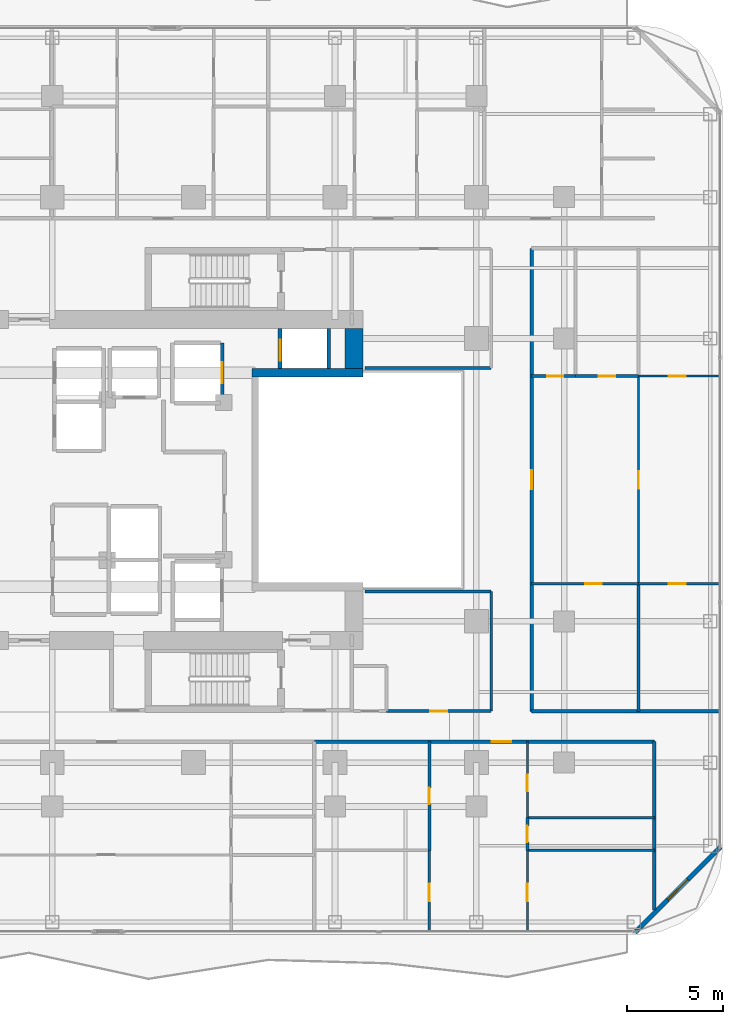
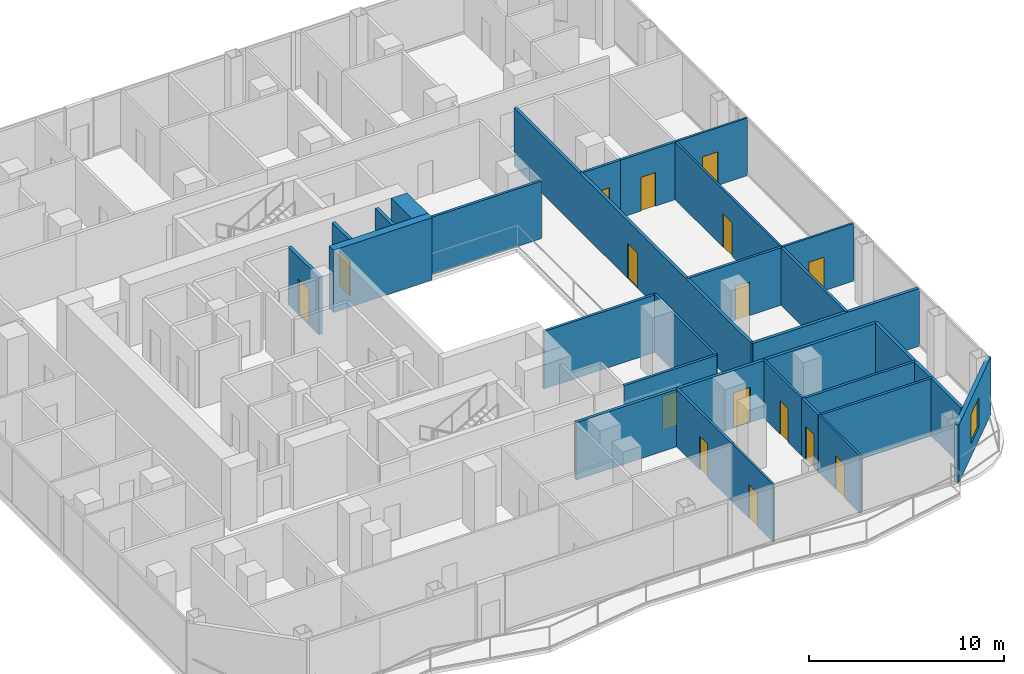
# One storey, part 22 of 27: 28 walls, 16 doors, 1 window, 17 openings.
"""IFC4 building model written with IfcOpenShell, lengths in metres."""

from ifc_helpers import new_model, si_unit, direction, frame, frame_2d, origin, place, context, subcontext, project, spatial, rectangle, extrude, material, layer, layer_set, type_object, element, fill, save


model = new_model("IFC4")

# Units and contexts
model_context = context("Model", 3, precision=1e-05, world=origin(), true_north=direction((0.0, 1.0)))
body_context = subcontext(model_context, "Body", "Model", "MODEL_VIEW")
ifc_project = project(units=[si_unit("LENGTHUNIT", "METRE"), si_unit("AREAUNIT", "SQUARE_METRE"), si_unit("VOLUMEUNIT", "CUBIC_METRE"), si_unit("PLANEANGLEUNIT", "RADIAN"), si_unit("MASSUNIT", "GRAM", prefix="KILO")], contexts=[model_context])

# Site, building, storey
site_placement = place(None, origin())
site = spatial("IfcSite", under=ifc_project, at=site_placement, CompositionType="ELEMENT")
building_placement = place(site_placement, origin())
building = spatial("IfcBuilding", under=site, at=building_placement, Name="Khorvyn Point Tower", CompositionType="ELEMENT")
storey_placement = place(building_placement, frame((0.0, 0.0, 152.39990234375)))
storey = spatial("IfcBuildingStorey", under=building, at=storey_placement, Name="L38", CompositionType="ELEMENT", Elevation=152.39990234375)

# Wall, opening, door
ifc_material_1 = material(Name="Double acoustic gypsum on twin steel stud", Category="steel")
ifc_layer_1 = layer(ifc_material_1, 0.179931640625)
ifc_layer_set_1 = layer_set([ifc_layer_1], Name="Acoustic Double-Stud Apartment Demising Wall 180")
wall_type_1 = type_object("IfcWallType", Name="Acoustic Double-Stud Apartment Demising Wall 180", PredefinedType="PARTITIONING", material=ifc_layer_set_1)
wall_1_placement = place(storey_placement, frame((6.325927734375, -13.699951171875, 0.0), z_axis=(0.0, 0.0, 1.0), x_axis=(1.0, 0.0, 0.0)))
wall_1 = element("IfcWall", 1, at=wall_1_placement, inside=storey, type_object=wall_type_1, Name="Wall", PredefinedType="PARTITIONING", context=body_context, shape_type="SweptSolid", body=[
    extrude(rectangle(XDim=17.794189453125, YDim=0.179931640625, at=frame_2d((8.89697265625, 0.0))), origin(), (0.0, 0.0, 1.0), 3.60009765625),
])
opening_1_placement = place(wall_1_placement, frame((9.292236328125, 0.0, 0.0)))
opening_1 = element("IfcOpeningElement", 2, at=opening_1_placement, cuts=wall_1, Name="Opening ID-AP60", PredefinedType="OPENING", context=body_context, shape_type="SweptSolid", body=[
    extrude(rectangle(XDim=1.0, YDim=2.199951171875, at=frame_2d((0.5, 1.10009765625))), frame((0.0, 0.099853515625, 0.0), z_axis=(0.0, -1.0, 0.0), x_axis=(1.0, 0.0, 0.0)), (0.0, 0.0, 1.0), 0.199951171875),
])
ifc_material_2 = material(Name="Engineered hardwood fire-rated leaf", Category="wood")
door_type_1 = type_object("IfcDoorType", Name="Acoustic Solid-Core Timber Apartment Entrance Door 1000x2200", OperationType="NOTDEFINED", PredefinedType="DOOR", material=ifc_material_2)
door_1_placement = place(opening_1_placement, origin())
door_1 = element("IfcDoor", 3, at=door_1_placement, inside=storey, type_object=door_type_1, Name="Door", OperationType="SINGLE_SWING_RIGHT", OverallHeight=2.199951171875, OverallWidth=1.0, PredefinedType="DOOR", context=body_context, shape_type="SweptSolid", body=[
    extrude(rectangle(XDim=1.0, YDim=2.199951171875, at=frame_2d((0.5, 1.10009765625))), frame((0.0, 0.02490234375, 0.0), z_axis=(0.0, -1.0, 0.0), x_axis=(1.0, 0.0, 0.0)), (0.0, 0.0, 1.0), 0.050048828125),
])
fill(opening_1, door_1)

wall_2_placement = place(storey_placement, frame((17.699951171875, -12.1201171875, 0.0), z_axis=(0.0, 0.0, 1.0), x_axis=(0.0, 1.0, 0.0)))
wall_2 = element("IfcWall", 4, at=wall_2_placement, inside=storey, type_object=wall_type_1, Name="Wall", PredefinedType="PARTITIONING", context=body_context, shape_type="SweptSolid", body=[
    extrude(rectangle(XDim=24.240234375, YDim=0.179931640625, at=frame_2d((12.1201171875, 0.0))), origin(), (0.0, 0.0, 1.0), 3.60009765625),
])
opening_2_placement = place(wall_2_placement, frame((11.6201171875, 0.0, 0.0)))
opening_2 = element("IfcOpeningElement", 5, at=opening_2_placement, cuts=wall_2, Name="Opening ID-AP60", PredefinedType="OPENING", context=body_context, shape_type="SweptSolid", body=[
    extrude(rectangle(XDim=1.0, YDim=2.199951171875, at=frame_2d((0.5, 1.10009765625))), frame((0.0, 0.099853515625, 0.0), z_axis=(0.0, -1.0, 0.0), x_axis=(1.0, 0.0, 0.0)), (0.0, 0.0, 1.0), 0.199951171875),
])
door_2_placement = place(opening_2_placement, origin())
door_2 = element("IfcDoor", 6, at=door_2_placement, inside=storey, type_object=door_type_1, Name="Door", OperationType="SINGLE_SWING_RIGHT", OverallHeight=2.199951171875, OverallWidth=1.0, PredefinedType="DOOR", context=body_context, shape_type="SweptSolid", body=[
    extrude(rectangle(XDim=1.0, YDim=2.199951171875, at=frame_2d((0.5, 1.10009765625))), frame((0.0, 0.02490234375, 0.0), z_axis=(0.0, -1.0, 0.0), x_axis=(1.0, 0.0, 0.0)), (0.0, 0.0, 1.0), 0.050048828125),
])
fill(opening_2, door_2)

# Walls
wall_3_placement = place(storey_placement, frame((24.1201171875, -22.510009765625, 0.0), z_axis=(0.0, 0.0, 1.0), x_axis=(0.0, 1.0, 0.0)))
element("IfcWall", 7, at=wall_3_placement, inside=storey, type_object=wall_type_1, Name="Wall", PredefinedType="PARTITIONING", context=body_context, shape_type="SweptSolid", body=[
    extrude(rectangle(XDim=8.81005859375, YDim=0.179931640625, at=frame_2d((4.405029296875, 0.0))), origin(), (0.0, 0.0, 1.0), 3.60009765625),
])
wall_4_placement = place(storey_placement, frame((17.699951171875, -12.1201171875, 0.0), z_axis=(0.0, 0.0, 1.0), x_axis=(1.0, 0.0, 0.0)))
element("IfcWall", 8, at=wall_4_placement, inside=storey, type_object=wall_type_1, Name="Wall", PredefinedType="PARTITIONING", context=body_context, shape_type="SweptSolid", body=[
    extrude(rectangle(XDim=9.830078125, YDim=0.179931640625, at=frame_2d((4.9150390625, 0.0))), origin(), (0.0, 0.0, 1.0), 3.60009765625),
])

# Wall, opening, window
ifc_material_3 = material(Name="Pale anodised aluminium rainscreen on steel stud", Category="steel")
ifc_layer_2 = layer(ifc_material_3, 0.239990234375)
ifc_layer_set_2 = layer_set([ifc_layer_2], Name="Anodised Aluminium Insulated Corner Spandrel Wall 240")
wall_type_2 = type_object("IfcWallType", Name="Anodised Aluminium Insulated Corner Spandrel Wall 240", PredefinedType="SOLIDWALL", material=ifc_layer_set_2)
wall_5_placement = place(storey_placement, frame((27.59228515625, -19.20751953125, 0.0), z_axis=(0.0, 0.0, 1.0), x_axis=(-0.707087534163, -0.707126027686, 0.0)))
wall_5 = element("IfcWall", 9, at=wall_5_placement, inside=storey, type_object=wall_type_2, Name="L38 Rounded Corner Wall SE", PredefinedType="SOLIDWALL", context=body_context, shape_type="SweptSolid", body=[
    extrude(rectangle(XDim=6.34228515625, YDim=0.239990234375, at=frame_2d((3.171142578125, 0.0))), origin(), (0.0, 0.0, 1.0), 3.60009765625),
])
opening_3_placement = place(wall_5_placement, frame((2.42138671875, 0.0, 0.800048828125)))
opening_3 = element("IfcOpeningElement", 10, at=opening_3_placement, cuts=wall_5, Name="Opening WN-1518", PredefinedType="OPENING", context=body_context, shape_type="SweptSolid", body=[
    extrude(rectangle(XDim=1.5, YDim=1.85009765625, at=frame_2d((0.75, 0.925048828125))), frame((0.0, 0.1298828125, 0.0), z_axis=(0.0, -1.0, 0.0), x_axis=(1.0, 0.0, 0.0)), (0.0, 0.0, 1.0), 0.260009765625),
])
ifc_material_4 = material(Name="Anodised aluminium 6063-T6 and laminated Low-E glass", Category="aluminium")
window_type = type_object("IfcWindowType", Name="Anodised Aluminium Rounded-Corner Panoramic Window 1500x1850", PartitioningType="SINGLE_PANEL", PredefinedType="WINDOW", material=ifc_material_4)
window_placement = place(opening_3_placement, origin())
window = element("IfcWindow", 11, at=window_placement, inside=storey, type_object=window_type, Name="L38 Corner Panoramic Window SE", OverallHeight=1.85009765625, OverallWidth=1.5, PartitioningType="SINGLE_PANEL", PredefinedType="WINDOW", context=body_context, shape_type="SweptSolid", body=[
    extrude(rectangle(XDim=1.5, YDim=1.85009765625, at=frame_2d((0.75, 0.925048828125))), frame((0.0, 0.030029296875, 0.0), z_axis=(0.0, -1.0, 0.0), x_axis=(1.0, 0.0, 0.0)), (0.0, 0.0, 1.0), 0.06005859375),
])
fill(opening_3, window)

# Wall
ifc_material_5 = material(Name="Concrete C40/50", Category="concrete")
ifc_layer_3 = layer(ifc_material_5, 0.449951171875)
ifc_layer_set_3 = layer_set([ifc_layer_3], Name="Concrete C40/50 Core Shear Wall 450")
wall_type_3 = type_object("IfcWallType", Name="Concrete C40/50 Core Shear Wall 450", PredefinedType="SHEAR", material=ifc_layer_set_3)
wall_6_placement = place(storey_placement, frame((3.044921875, 5.60009765625, 0.0), z_axis=(0.0, 0.0, 1.0), x_axis=(1.0, 0.0, 0.0)))
element("IfcWall", 12, at=wall_6_placement, inside=storey, type_object=wall_type_3, Name="Wall", PredefinedType="SHEAR", context=body_context, shape_type="SweptSolid", body=[
    extrude(rectangle(XDim=5.830078125, YDim=0.449951171875, at=frame_2d((2.9150390625, 0.0))), origin(), (0.0, 0.0, 1.0), 3.900146484375),
])

# Wall, opening, door
ifc_layer_4 = layer(ifc_material_5, 0.199951171875)
ifc_layer_set_4 = layer_set([ifc_layer_4], Name="Concrete C40/50 Structural Hoistway and Stair Shaft Wall 200")
wall_type_4 = type_object("IfcWallType", Name="Concrete C40/50 Structural Hoistway and Stair Shaft Wall 200", PredefinedType="SHEAR", material=ifc_layer_set_4)
wall_7_placement = place(storey_placement, frame((1.5, 4.02490234375, 0.0), z_axis=(0.0, 0.0, 1.0), x_axis=(0.0, 1.0, 0.0)))
wall_7 = element("IfcWall", 13, at=wall_7_placement, inside=storey, type_object=wall_type_4, Name="Wall", PredefinedType="SHEAR", context=body_context, shape_type="SweptSolid", body=[
    extrude(rectangle(XDim=3.150146484375, YDim=0.199951171875, at=frame_2d((1.5751953125, 0.0))), origin(), (0.0, 0.0, 1.0), 3.60009765625),
])
opening_4_placement = place(wall_7_placement, frame((1.02490234375, 0.0, 0.0)))
opening_4 = element("IfcOpeningElement", 14, at=opening_4_placement, cuts=wall_7, Name="Opening LD-1122", PredefinedType="OPENING", context=body_context, shape_type="SweptSolid", body=[
    extrude(rectangle(XDim=1.10009765625, YDim=2.199951171875, at=frame_2d((0.550048828125, 1.10009765625))), frame((0.0, 0.10986328125, 0.0), z_axis=(0.0, -1.0, 0.0), x_axis=(1.0, 0.0, 0.0)), (0.0, 0.0, 1.0), 0.219970703125),
])
ifc_material_6 = material(Name="Stainless steel 1.4301", Category="steel")
door_type_2 = type_object("IfcDoorType", Name="Stainless Steel Automatic Sliding Lift Landing Door 1100x2200", OperationType="SLIDING_TO_LEFT", PredefinedType="DOOR", material=ifc_material_6)
door_3_placement = place(opening_4_placement, origin())
door_3 = element("IfcDoor", 15, at=door_3_placement, inside=storey, type_object=door_type_2, Name="L38 SV-01 Sliding Lift Landing Door", OperationType="SLIDING_TO_LEFT", OverallHeight=2.199951171875, OverallWidth=1.10009765625, PredefinedType="DOOR", context=body_context, shape_type="SweptSolid", body=[
    extrude(rectangle(XDim=1.10009765625, YDim=2.199951171875, at=frame_2d((0.550048828125, 1.10009765625))), frame((0.0, 0.02490234375, 0.0), z_axis=(0.0, -1.0, 0.0), x_axis=(1.0, 0.0, 0.0)), (0.0, 0.0, 1.0), 0.050048828125),
])
fill(opening_4, door_3)

wall_8_placement = place(storey_placement, frame((4.52490234375, 5.824951171875, 0.0), z_axis=(0.0, 0.0, 1.0), x_axis=(0.0, 1.0, 0.0)))
wall_8 = element("IfcWall", 16, at=wall_8_placement, inside=storey, type_object=wall_type_4, Name="Wall", PredefinedType="SHEAR", context=body_context, shape_type="SweptSolid", body=[
    extrude(rectangle(XDim=2.10009765625, YDim=0.199951171875, at=frame_2d((1.050048828125, 0.0))), origin(), (0.0, 0.0, 1.0), 3.60009765625),
])
opening_5_placement = place(wall_8_placement, frame((0.425048828125, 0.0, 0.0)))
opening_5 = element("IfcOpeningElement", 17, at=opening_5_placement, cuts=wall_8, Name="Opening LD-1122", PredefinedType="OPENING", context=body_context, shape_type="SweptSolid", body=[
    extrude(rectangle(XDim=1.10009765625, YDim=2.199951171875, at=frame_2d((0.550048828125, 1.10009765625))), frame((0.0, 0.10986328125, 0.0), z_axis=(0.0, -1.0, 0.0), x_axis=(1.0, 0.0, 0.0)), (0.0, 0.0, 1.0), 0.219970703125),
])
door_4_placement = place(opening_5_placement, origin())
door_4 = element("IfcDoor", 18, at=door_4_placement, inside=storey, type_object=door_type_2, Name="L38 FF-02 Sliding Lift Landing Door", OperationType="SLIDING_TO_LEFT", OverallHeight=2.199951171875, OverallWidth=1.10009765625, PredefinedType="DOOR", context=body_context, shape_type="SweptSolid", body=[
    extrude(rectangle(XDim=1.10009765625, YDim=2.199951171875, at=frame_2d((0.550048828125, 1.10009765625))), frame((0.0, 0.02490234375, 0.0), z_axis=(0.0, -1.0, 0.0), x_axis=(1.0, 0.0, 0.0)), (0.0, 0.0, 1.0), 0.050048828125),
])
fill(opening_5, door_4)

# Walls
wall_9_placement = place(storey_placement, frame((7.074951171875, 5.824951171875, 0.0), z_axis=(0.0, 0.0, 1.0), x_axis=(0.0, 1.0, 0.0)))
element("IfcWall", 19, at=wall_9_placement, inside=storey, type_object=wall_type_4, Name="Wall", PredefinedType="SHEAR", context=body_context, shape_type="SweptSolid", body=[
    extrude(rectangle(XDim=2.10009765625, YDim=0.199951171875, at=frame_2d((1.050048828125, 0.0))), origin(), (0.0, 0.0, 1.0), 3.60009765625),
])
ifc_material_7 = material(Name="Concrete C50/60", Category="concrete")
ifc_layer_5 = layer(ifc_material_7, 0.949951171875)
ifc_layer_set_5 = layer_set([ifc_layer_5], Name="Concrete C50/60 Core Shear Wall 950")
wall_type_5 = type_object("IfcWallType", Name="Concrete C50/60 Core Shear Wall 950", PredefinedType="SHEAR", material=ifc_layer_set_5)
wall_10_placement = place(storey_placement, frame((8.39990234375, 5.824951171875, 0.0), z_axis=(0.0, 0.0, 1.0), x_axis=(0.0, 1.0, 0.0)))
element("IfcWall", 20, at=wall_10_placement, inside=storey, type_object=wall_type_5, Name="Wall", PredefinedType="SHEAR", context=body_context, shape_type="SweptSolid", body=[
    extrude(rectangle(XDim=2.10009765625, YDim=0.949951171875, at=frame_2d((1.050048828125, 0.0))), origin(), (0.0, 0.0, 1.0), 3.900146484375),
])

# Wall, opening, door
ifc_material_8 = material(Name="Gypsum plasterboard on steel stud", Category="steel")
ifc_layer_6 = layer(ifc_material_8, 0.1201171875)
ifc_layer_set_6 = layer_set([ifc_layer_6], Name="Gypsum Acoustic Stud Room Partition Wall 120")
wall_type_6 = type_object("IfcWallType", Name="Gypsum Acoustic Stud Room Partition Wall 120", PredefinedType="PARTITIONING", material=ifc_layer_set_6)
wall_11_placement = place(storey_placement, frame((12.340087890625, -23.6298828125, 0.0), z_axis=(0.0, 0.0, 1.0), x_axis=(0.0, 1.0, 0.0)))
wall_11 = element("IfcWall", 21, at=wall_11_placement, inside=storey, type_object=wall_type_6, Name="Wall", PredefinedType="PARTITIONING", context=body_context, shape_type="SweptSolid", body=[
    extrude(rectangle(XDim=4.239990234375, YDim=0.1201171875, at=frame_2d((2.1201171875, 0.0))), origin(), (0.0, 0.0, 1.0), 3.60009765625),
])
opening_6_placement = place(wall_11_placement, frame((1.581298828125, 0.0, 0.0)))
opening_6 = element("IfcOpeningElement", 22, at=opening_6_placement, cuts=wall_11, Name="Opening ID-RM90", PredefinedType="OPENING", context=body_context, shape_type="SweptSolid", body=[
    extrude(rectangle(XDim=0.89990234375, YDim=2.10009765625, at=frame_2d((0.449951171875, 1.050048828125))), frame((0.0, 0.070068359375, 0.0), z_axis=(0.0, -1.0, 0.0), x_axis=(1.0, 0.0, 0.0)), (0.0, 0.0, 1.0), 0.14013671875),
])
ifc_material_9 = material(Name="Engineered oak veneer timber", Category="wood")
door_type_3 = type_object("IfcDoorType", Name="Flush Engineered Timber Room Door 900x2100", OperationType="NOTDEFINED", PredefinedType="DOOR", material=ifc_material_9)
door_5_placement = place(opening_6_placement, origin())
door_5 = element("IfcDoor", 23, at=door_5_placement, inside=storey, type_object=door_type_3, Name="Door", OperationType="SINGLE_SWING_RIGHT", OverallHeight=2.10009765625, OverallWidth=0.89990234375, PredefinedType="DOOR", context=body_context, shape_type="SweptSolid", body=[
    extrude(rectangle(XDim=0.89990234375, YDim=2.10009765625, at=frame_2d((0.449951171875, 1.050048828125))), frame((0.0, 0.02490234375, 0.0), z_axis=(0.0, -1.0, 0.0), x_axis=(1.0, 0.0, 0.0)), (0.0, 0.0, 1.0), 0.050048828125),
])
fill(opening_6, door_5)

wall_12_placement = place(storey_placement, frame((17.47607421875, -17.68310546875, 0.0), z_axis=(0.0, 0.0, 1.0), x_axis=(0.0, 1.0, 0.0)))
wall_12 = element("IfcWall", 24, at=wall_12_placement, inside=storey, type_object=wall_type_6, Name="Wall", PredefinedType="PARTITIONING", context=body_context, shape_type="SweptSolid", body=[
    extrude(rectangle(XDim=3.983154296875, YDim=0.1201171875, at=frame_2d((1.99169921875, 0.0))), origin(), (0.0, 0.0, 1.0), 3.60009765625),
])
opening_7_placement = place(wall_12_placement, frame((1.390625, 0.0, 0.0)))
opening_7 = element("IfcOpeningElement", 25, at=opening_7_placement, cuts=wall_12, Name="Opening ID-WC85", PredefinedType="OPENING", context=body_context, shape_type="SweptSolid", body=[
    extrude(rectangle(XDim=0.85009765625, YDim=2.10009765625, at=frame_2d((0.425048828125, 1.050048828125))), frame((0.0, 0.070068359375, 0.0), z_axis=(0.0, -1.0, 0.0), x_axis=(1.0, 0.0, 0.0)), (0.0, 0.0, 1.0), 0.14013671875),
])
ifc_material_10 = material(Name="High-pressure laminate on moisture-resistant core", Category="wood")
door_type_4 = type_object("IfcDoorType", Name="Moisture-Resistant Accessible Washroom Door 850x2100", OperationType="NOTDEFINED", PredefinedType="DOOR", material=ifc_material_10)
door_6_placement = place(opening_7_placement, origin())
door_6 = element("IfcDoor", 26, at=door_6_placement, inside=storey, type_object=door_type_4, Name="Door", OperationType="SINGLE_SWING_RIGHT", OverallHeight=2.10009765625, OverallWidth=0.85009765625, PredefinedType="DOOR", context=body_context, shape_type="SweptSolid", body=[
    extrude(rectangle(XDim=0.85009765625, YDim=2.10009765625, at=frame_2d((0.425048828125, 1.050048828125))), frame((0.0, 0.02490234375, 0.0), z_axis=(0.0, -1.0, 0.0), x_axis=(1.0, 0.0, 0.0)), (0.0, 0.0, 1.0), 0.050048828125),
])
fill(opening_7, door_6)

wall_13_placement = place(storey_placement, frame((17.47607421875, -23.6298828125, 0.0), z_axis=(0.0, 0.0, 1.0), x_axis=(0.0, 1.0, 0.0)))
wall_13 = element("IfcWall", 27, at=wall_13_placement, inside=storey, type_object=wall_type_6, Name="Wall", PredefinedType="PARTITIONING", context=body_context, shape_type="SweptSolid", body=[
    extrude(rectangle(XDim=4.239990234375, YDim=0.1201171875, at=frame_2d((2.1201171875, 0.0))), origin(), (0.0, 0.0, 1.0), 3.60009765625),
])
opening_8_placement = place(wall_13_placement, frame((1.581298828125, 0.0, 0.0)))
opening_8 = element("IfcOpeningElement", 28, at=opening_8_placement, cuts=wall_13, Name="Opening ID-RM90", PredefinedType="OPENING", context=body_context, shape_type="SweptSolid", body=[
    extrude(rectangle(XDim=0.89990234375, YDim=2.10009765625, at=frame_2d((0.449951171875, 1.050048828125))), frame((0.0, 0.070068359375, 0.0), z_axis=(0.0, -1.0, 0.0), x_axis=(1.0, 0.0, 0.0)), (0.0, 0.0, 1.0), 0.14013671875),
])
door_7_placement = place(opening_8_placement, origin())
door_7 = element("IfcDoor", 29, at=door_7_placement, inside=storey, type_object=door_type_3, Name="Door", OperationType="SINGLE_SWING_LEFT", OverallHeight=2.10009765625, OverallWidth=0.89990234375, PredefinedType="DOOR", context=body_context, shape_type="SweptSolid", body=[
    extrude(rectangle(XDim=0.89990234375, YDim=2.10009765625, at=frame_2d((0.449951171875, 1.050048828125))), frame((0.0, 0.02490234375, 0.0), z_axis=(0.0, -1.0, 0.0), x_axis=(1.0, 0.0, 0.0)), (0.0, 0.0, 1.0), 0.050048828125),
])
fill(opening_8, door_7)

wall_14_placement = place(storey_placement, frame((23.2900390625, -5.43603515625, 0.0), z_axis=(0.0, 0.0, 1.0), x_axis=(0.0, 1.0, 0.0)))
wall_14 = element("IfcWall", 30, at=wall_14_placement, inside=storey, type_object=wall_type_6, Name="Wall", PredefinedType="PARTITIONING", context=body_context, shape_type="SweptSolid", body=[
    extrude(rectangle(XDim=10.8720703125, YDim=0.1201171875, at=frame_2d((5.43603515625, 0.0))), origin(), (0.0, 0.0, 1.0), 3.60009765625),
])
opening_9_placement = place(wall_14_placement, frame((4.986083984375, 0.0, 0.0)))
opening_9 = element("IfcOpeningElement", 31, at=opening_9_placement, cuts=wall_14, Name="Opening ID-RM90", PredefinedType="OPENING", context=body_context, shape_type="SweptSolid", body=[
    extrude(rectangle(XDim=0.89990234375, YDim=2.10009765625, at=frame_2d((0.449951171875, 1.050048828125))), frame((0.0, 0.070068359375, 0.0), z_axis=(0.0, -1.0, 0.0), x_axis=(1.0, 0.0, 0.0)), (0.0, 0.0, 1.0), 0.14013671875),
])
door_8_placement = place(opening_9_placement, origin())
door_8 = element("IfcDoor", 32, at=door_8_placement, inside=storey, type_object=door_type_3, Name="Door", OperationType="SINGLE_SWING_LEFT", OverallHeight=2.10009765625, OverallWidth=0.89990234375, PredefinedType="DOOR", context=body_context, shape_type="SweptSolid", body=[
    extrude(rectangle(XDim=0.89990234375, YDim=2.10009765625, at=frame_2d((0.449951171875, 1.050048828125))), frame((0.0, 0.02490234375, 0.0), z_axis=(0.0, -1.0, 0.0), x_axis=(1.0, 0.0, 0.0)), (0.0, 0.0, 1.0), 0.050048828125),
])
fill(opening_9, door_8)

wall_15_placement = place(storey_placement, frame((23.2900390625, -5.43603515625, 0.0), z_axis=(0.0, 0.0, 1.0), x_axis=(1.0, 0.0, 0.0)))
wall_15 = element("IfcWall", 33, at=wall_15_placement, inside=storey, type_object=wall_type_6, Name="Wall", PredefinedType="PARTITIONING", context=body_context, shape_type="SweptSolid", body=[
    extrude(rectangle(XDim=4.239990234375, YDim=0.1201171875, at=frame_2d((2.1201171875, 0.0))), origin(), (0.0, 0.0, 1.0), 3.60009765625),
])
opening_10_placement = place(wall_15_placement, frame((1.581298828125, 0.0, 0.0)))
opening_10 = element("IfcOpeningElement", 34, at=opening_10_placement, cuts=wall_15, Name="Opening ID-RM90", PredefinedType="OPENING", context=body_context, shape_type="SweptSolid", body=[
    extrude(rectangle(XDim=0.89990234375, YDim=2.10009765625, at=frame_2d((0.449951171875, 1.050048828125))), frame((0.0, 0.070068359375, 0.0), z_axis=(0.0, -1.0, 0.0), x_axis=(1.0, 0.0, 0.0)), (0.0, 0.0, 1.0), 0.14013671875),
])
door_9_placement = place(opening_10_placement, origin())
door_9 = element("IfcDoor", 35, at=door_9_placement, inside=storey, type_object=door_type_3, Name="Door", OperationType="SINGLE_SWING_LEFT", OverallHeight=2.10009765625, OverallWidth=0.89990234375, PredefinedType="DOOR", context=body_context, shape_type="SweptSolid", body=[
    extrude(rectangle(XDim=0.89990234375, YDim=2.10009765625, at=frame_2d((0.449951171875, 1.050048828125))), frame((0.0, 0.02490234375, 0.0), z_axis=(0.0, -1.0, 0.0), x_axis=(1.0, 0.0, 0.0)), (0.0, 0.0, 1.0), 0.050048828125),
])
fill(opening_10, door_9)

wall_16_placement = place(storey_placement, frame((23.2900390625, 5.43603515625, 0.0), z_axis=(0.0, 0.0, 1.0), x_axis=(1.0, 0.0, 0.0)))
wall_16 = element("IfcWall", 36, at=wall_16_placement, inside=storey, type_object=wall_type_6, Name="Wall", PredefinedType="PARTITIONING", context=body_context, shape_type="SweptSolid", body=[
    extrude(rectangle(XDim=4.239990234375, YDim=0.1201171875, at=frame_2d((2.1201171875, 0.0))), origin(), (0.0, 0.0, 1.0), 3.60009765625),
])
opening_11_placement = place(wall_16_placement, frame((1.581298828125, 0.0, 0.0)))
opening_11 = element("IfcOpeningElement", 37, at=opening_11_placement, cuts=wall_16, Name="Opening ID-RM90", PredefinedType="OPENING", context=body_context, shape_type="SweptSolid", body=[
    extrude(rectangle(XDim=0.89990234375, YDim=2.10009765625, at=frame_2d((0.449951171875, 1.050048828125))), frame((0.0, 0.070068359375, 0.0), z_axis=(0.0, -1.0, 0.0), x_axis=(1.0, 0.0, 0.0)), (0.0, 0.0, 1.0), 0.14013671875),
])
door_10_placement = place(opening_11_placement, origin())
door_10 = element("IfcDoor", 38, at=door_10_placement, inside=storey, type_object=door_type_3, Name="Door", OperationType="SINGLE_SWING_RIGHT", OverallHeight=2.10009765625, OverallWidth=0.89990234375, PredefinedType="DOOR", context=body_context, shape_type="SweptSolid", body=[
    extrude(rectangle(XDim=0.89990234375, YDim=2.10009765625, at=frame_2d((0.449951171875, 1.050048828125))), frame((0.0, 0.02490234375, 0.0), z_axis=(0.0, -1.0, 0.0), x_axis=(1.0, 0.0, 0.0)), (0.0, 0.0, 1.0), 0.050048828125),
])
fill(opening_11, door_10)

ifc_material_11 = material(Name="Moisture-resistant gypsum and cement board", Category="gypsum")
ifc_layer_7 = layer(ifc_material_11, 0.14990234375)
ifc_layer_set_7 = layer_set([ifc_layer_7], Name="Moisture-Resistant Wet-Room Partition Wall 150")
wall_type_7 = type_object("IfcWallType", Name="Moisture-Resistant Wet-Room Partition Wall 150", PredefinedType="PARTITIONING", material=ifc_layer_set_7)
wall_17_placement = place(storey_placement, frame((10.10009765625, -12.10009765625, 0.0), z_axis=(0.0, 0.0, 1.0), x_axis=(1.0, 0.0, 0.0)))
wall_17 = element("IfcWall", 39, at=wall_17_placement, inside=storey, type_object=wall_type_7, Name="Wall", PredefinedType="PARTITIONING", context=body_context, shape_type="SweptSolid", body=[
    extrude(rectangle(XDim=5.47998046875, YDim=0.14990234375, at=frame_2d((2.739990234375, 0.0))), origin(), (0.0, 0.0, 1.0), 3.60009765625),
])
opening_12_placement = place(wall_17_placement, frame((2.2900390625, 0.0, 0.0)))
opening_12 = element("IfcOpeningElement", 40, at=opening_12_placement, cuts=wall_17, Name="Opening ID-RM90", PredefinedType="OPENING", context=body_context, shape_type="SweptSolid", body=[
    extrude(rectangle(XDim=0.89990234375, YDim=2.10009765625, at=frame_2d((0.449951171875, 1.050048828125))), frame((0.0, 0.0849609375, 0.0), z_axis=(0.0, -1.0, 0.0), x_axis=(1.0, 0.0, 0.0)), (0.0, 0.0, 1.0), 0.169921875),
])
door_11_placement = place(opening_12_placement, origin())
door_11 = element("IfcDoor", 41, at=door_11_placement, inside=storey, type_object=door_type_3, Name="Door", OperationType="SINGLE_SWING_LEFT", OverallHeight=2.10009765625, OverallWidth=0.89990234375, PredefinedType="DOOR", context=body_context, shape_type="SweptSolid", body=[
    extrude(rectangle(XDim=0.89990234375, YDim=2.10009765625, at=frame_2d((0.449951171875, 1.050048828125))), frame((0.0, 0.02490234375, 0.0), z_axis=(0.0, -1.0, 0.0), x_axis=(1.0, 0.0, 0.0)), (0.0, 0.0, 1.0), 0.050048828125),
])
fill(opening_12, door_11)

wall_18_placement = place(storey_placement, frame((12.340087890625, -19.389892578125, 0.0), z_axis=(0.0, 0.0, 1.0), x_axis=(0.0, 1.0, 0.0)))
wall_18 = element("IfcWall", 42, at=wall_18_placement, inside=storey, type_object=wall_type_7, Name="Wall", PredefinedType="PARTITIONING", context=body_context, shape_type="SweptSolid", body=[
    extrude(rectangle(XDim=5.68994140625, YDim=0.14990234375, at=frame_2d((2.844970703125, 0.0))), origin(), (0.0, 0.0, 1.0), 3.60009765625),
])
opening_13_placement = place(wall_18_placement, frame((2.419921875, 0.0, 0.0)))
opening_13 = element("IfcOpeningElement", 43, at=opening_13_placement, cuts=wall_18, Name="Opening ID-WC85", PredefinedType="OPENING", context=body_context, shape_type="SweptSolid", body=[
    extrude(rectangle(XDim=0.85009765625, YDim=2.10009765625, at=frame_2d((0.425048828125, 1.050048828125))), frame((0.0, 0.0849609375, 0.0), z_axis=(0.0, -1.0, 0.0), x_axis=(1.0, 0.0, 0.0)), (0.0, 0.0, 1.0), 0.169921875),
])
door_12_placement = place(opening_13_placement, origin())
door_12 = element("IfcDoor", 44, at=door_12_placement, inside=storey, type_object=door_type_4, Name="Door", OperationType="SINGLE_SWING_LEFT", OverallHeight=2.10009765625, OverallWidth=0.85009765625, PredefinedType="DOOR", context=body_context, shape_type="SweptSolid", body=[
    extrude(rectangle(XDim=0.85009765625, YDim=2.10009765625, at=frame_2d((0.425048828125, 1.050048828125))), frame((0.0, 0.02490234375, 0.0), z_axis=(0.0, -1.0, 0.0), x_axis=(1.0, 0.0, 0.0)), (0.0, 0.0, 1.0), 0.050048828125),
])
fill(opening_13, door_12)

wall_19_placement = place(storey_placement, frame((17.47607421875, -19.389892578125, 0.0), z_axis=(0.0, 0.0, 1.0), x_axis=(0.0, 1.0, 0.0)))
wall_19 = element("IfcWall", 45, at=wall_19_placement, inside=storey, type_object=wall_type_7, Name="Wall", PredefinedType="PARTITIONING", context=body_context, shape_type="SweptSolid", body=[
    extrude(rectangle(XDim=1.706787109375, YDim=0.14990234375, at=frame_2d((0.853515625, 0.0))), origin(), (0.0, 0.0, 1.0), 3.60009765625),
])
opening_14_placement = place(wall_19_placement, frame((0.428466796875, 0.0, 0.0)))
opening_14 = element("IfcOpeningElement", 46, at=opening_14_placement, cuts=wall_19, Name="Opening ID-WC85", PredefinedType="OPENING", context=body_context, shape_type="SweptSolid", body=[
    extrude(rectangle(XDim=0.85009765625, YDim=2.10009765625, at=frame_2d((0.425048828125, 1.050048828125))), frame((0.0, 0.0849609375, 0.0), z_axis=(0.0, -1.0, 0.0), x_axis=(1.0, 0.0, 0.0)), (0.0, 0.0, 1.0), 0.169921875),
])
door_13_placement = place(opening_14_placement, origin())
door_13 = element("IfcDoor", 47, at=door_13_placement, inside=storey, type_object=door_type_4, Name="Door", OperationType="SINGLE_SWING_LEFT", OverallHeight=2.10009765625, OverallWidth=0.85009765625, PredefinedType="DOOR", context=body_context, shape_type="SweptSolid", body=[
    extrude(rectangle(XDim=0.85009765625, YDim=2.10009765625, at=frame_2d((0.425048828125, 1.050048828125))), frame((0.0, 0.02490234375, 0.0), z_axis=(0.0, -1.0, 0.0), x_axis=(1.0, 0.0, 0.0)), (0.0, 0.0, 1.0), 0.050048828125),
])
fill(opening_14, door_13)

wall_20_placement = place(storey_placement, frame((17.699951171875, 5.43603515625, 0.0), z_axis=(0.0, 0.0, 1.0), x_axis=(1.0, 0.0, 0.0)))
wall_20 = element("IfcWall", 48, at=wall_20_placement, inside=storey, type_object=wall_type_7, Name="Wall", PredefinedType="PARTITIONING", context=body_context, shape_type="SweptSolid", body=[
    extrude(rectangle(XDim=2.2919921875, YDim=0.14990234375, at=frame_2d((1.14599609375, 0.0))), origin(), (0.0, 0.0, 1.0), 3.60009765625),
])
opening_15_placement = place(wall_20_placement, frame((0.801025390625, 0.0, 0.0)))
opening_15 = element("IfcOpeningElement", 49, at=opening_15_placement, cuts=wall_20, Name="Opening ID-WC85", PredefinedType="OPENING", context=body_context, shape_type="SweptSolid", body=[
    extrude(rectangle(XDim=0.85009765625, YDim=2.10009765625, at=frame_2d((0.425048828125, 1.050048828125))), frame((0.0, 0.0849609375, 0.0), z_axis=(0.0, -1.0, 0.0), x_axis=(1.0, 0.0, 0.0)), (0.0, 0.0, 1.0), 0.169921875),
])
door_14_placement = place(opening_15_placement, origin())
door_14 = element("IfcDoor", 50, at=door_14_placement, inside=storey, type_object=door_type_4, Name="Door", OperationType="SINGLE_SWING_RIGHT", OverallHeight=2.10009765625, OverallWidth=0.85009765625, PredefinedType="DOOR", context=body_context, shape_type="SweptSolid", body=[
    extrude(rectangle(XDim=0.85009765625, YDim=2.10009765625, at=frame_2d((0.425048828125, 1.050048828125))), frame((0.0, 0.02490234375, 0.0), z_axis=(0.0, -1.0, 0.0), x_axis=(1.0, 0.0, 0.0)), (0.0, 0.0, 1.0), 0.050048828125),
])
fill(opening_15, door_14)

wall_21_placement = place(storey_placement, frame((19.991943359375, 5.43603515625, 0.0), z_axis=(0.0, 0.0, 1.0), x_axis=(1.0, 0.0, 0.0)))
wall_21 = element("IfcWall", 51, at=wall_21_placement, inside=storey, type_object=wall_type_7, Name="Wall", PredefinedType="PARTITIONING", context=body_context, shape_type="SweptSolid", body=[
    extrude(rectangle(XDim=3.298095703125, YDim=0.14990234375, at=frame_2d((1.64892578125, 0.0))), origin(), (0.0, 0.0, 1.0), 3.60009765625),
])
opening_16_placement = place(wall_21_placement, frame((1.22412109375, 0.0, 0.0)))
opening_16 = element("IfcOpeningElement", 52, at=opening_16_placement, cuts=wall_21, Name="Opening ID-WC85", PredefinedType="OPENING", context=body_context, shape_type="SweptSolid", body=[
    extrude(rectangle(XDim=0.85009765625, YDim=2.10009765625, at=frame_2d((0.425048828125, 1.050048828125))), frame((0.0, 0.0849609375, 0.0), z_axis=(0.0, -1.0, 0.0), x_axis=(1.0, 0.0, 0.0)), (0.0, 0.0, 1.0), 0.169921875),
])
door_15_placement = place(opening_16_placement, origin())
door_15 = element("IfcDoor", 53, at=door_15_placement, inside=storey, type_object=door_type_4, Name="Door", OperationType="SINGLE_SWING_LEFT", OverallHeight=2.10009765625, OverallWidth=0.85009765625, PredefinedType="DOOR", context=body_context, shape_type="SweptSolid", body=[
    extrude(rectangle(XDim=0.85009765625, YDim=2.10009765625, at=frame_2d((0.425048828125, 1.050048828125))), frame((0.0, 0.02490234375, 0.0), z_axis=(0.0, -1.0, 0.0), x_axis=(1.0, 0.0, 0.0)), (0.0, 0.0, 1.0), 0.050048828125),
])
fill(opening_16, door_15)

wall_22_placement = place(storey_placement, frame((17.699951171875, -5.43603515625, 0.0), z_axis=(0.0, 0.0, 1.0), x_axis=(1.0, 0.0, 0.0)))
wall_22 = element("IfcWall", 54, at=wall_22_placement, inside=storey, type_object=wall_type_7, Name="Wall", PredefinedType="PARTITIONING", context=body_context, shape_type="SweptSolid", body=[
    extrude(rectangle(XDim=5.590087890625, YDim=0.14990234375, at=frame_2d((2.794921875, 0.0))), origin(), (0.0, 0.0, 1.0), 3.60009765625),
])
opening_17_placement = place(wall_22_placement, frame((2.81201171875, 0.0, 0.0)))
opening_17 = element("IfcOpeningElement", 55, at=opening_17_placement, cuts=wall_22, Name="Opening ID-WC85", PredefinedType="OPENING", context=body_context, shape_type="SweptSolid", body=[
    extrude(rectangle(XDim=0.85009765625, YDim=2.10009765625, at=frame_2d((0.425048828125, 1.050048828125))), frame((0.0, 0.0849609375, 0.0), z_axis=(0.0, -1.0, 0.0), x_axis=(1.0, 0.0, 0.0)), (0.0, 0.0, 1.0), 0.169921875),
])
door_16_placement = place(opening_17_placement, origin())
door_16 = element("IfcDoor", 56, at=door_16_placement, inside=storey, type_object=door_type_4, Name="Door", OperationType="SINGLE_SWING_RIGHT", OverallHeight=2.10009765625, OverallWidth=0.85009765625, PredefinedType="DOOR", context=body_context, shape_type="SweptSolid", body=[
    extrude(rectangle(XDim=0.85009765625, YDim=2.10009765625, at=frame_2d((0.425048828125, 1.050048828125))), frame((0.0, 0.02490234375, 0.0), z_axis=(0.0, -1.0, 0.0), x_axis=(1.0, 0.0, 0.0)), (0.0, 0.0, 1.0), 0.050048828125),
])
fill(opening_17, door_16)

# Walls
wall_23_placement = place(storey_placement, frame((15.580078125, -12.10009765625, 0.0), z_axis=(0.0, 0.0, 1.0), x_axis=(0.0, 1.0, 0.0)))
element("IfcWall", 57, at=wall_23_placement, inside=storey, type_object=wall_type_7, Name="Wall", PredefinedType="PARTITIONING", context=body_context, shape_type="SweptSolid", body=[
    extrude(rectangle(XDim=6.25, YDim=0.14990234375, at=frame_2d((3.125, 0.0))), origin(), (0.0, 0.0, 1.0), 3.60009765625),
])
for number, where, z_axis, x_axis, name in (
    (58, (8.9599609375, -5.85009765625, 0.0), (0.0, 0.0, 1.0), (1.0, 0.0, 0.0), "Wall"),
    (59, (8.9599609375, 5.85009765625, 0.0), (0.0, 0.0, 1.0), (1.0, 0.0, 0.0), "Wall"),
):
    element("IfcWall", number, at=place(storey_placement, frame(where, z_axis=z_axis, x_axis=x_axis)), inside=storey, type_object=wall_type_7, Name=name, PredefinedType="PARTITIONING", context=body_context, shape_type="SweptSolid", body=[
        extrude(rectangle(XDim=6.6201171875, YDim=0.14990234375, at=frame_2d((3.31005859375, 0.0))), origin(), (0.0, 0.0, 1.0), 3.60009765625),
    ])
for number, where, z_axis, x_axis, name in (
    (60, (17.47607421875, -17.68310546875, 0.0), (0.0, 0.0, 1.0), (1.0, 0.0, 0.0), "Wall"),
    (61, (17.47607421875, -19.389892578125, 0.0), (0.0, 0.0, 1.0), (1.0, 0.0, 0.0), "Wall"),
):
    element("IfcWall", number, at=place(storey_placement, frame(where, z_axis=z_axis, x_axis=x_axis)), inside=storey, type_object=wall_type_7, Name=name, PredefinedType="PARTITIONING", context=body_context, shape_type="SweptSolid", body=[
        extrude(rectangle(XDim=6.64404296875, YDim=0.14990234375, at=frame_2d((3.322021484375, 0.0))), origin(), (0.0, 0.0, 1.0), 3.60009765625),
    ])
wall_24_placement = place(storey_placement, frame((23.2900390625, -12.1201171875, 0.0), z_axis=(0.0, 0.0, 1.0), x_axis=(0.0, 1.0, 0.0)))
element("IfcWall", 62, at=wall_24_placement, inside=storey, type_object=wall_type_7, Name="Wall", PredefinedType="PARTITIONING", context=body_context, shape_type="SweptSolid", body=[
    extrude(rectangle(XDim=6.68408203125, YDim=0.14990234375, at=frame_2d((3.342041015625, 0.0))), origin(), (0.0, 0.0, 1.0), 3.60009765625),
])

save(model, "model.ifc")
